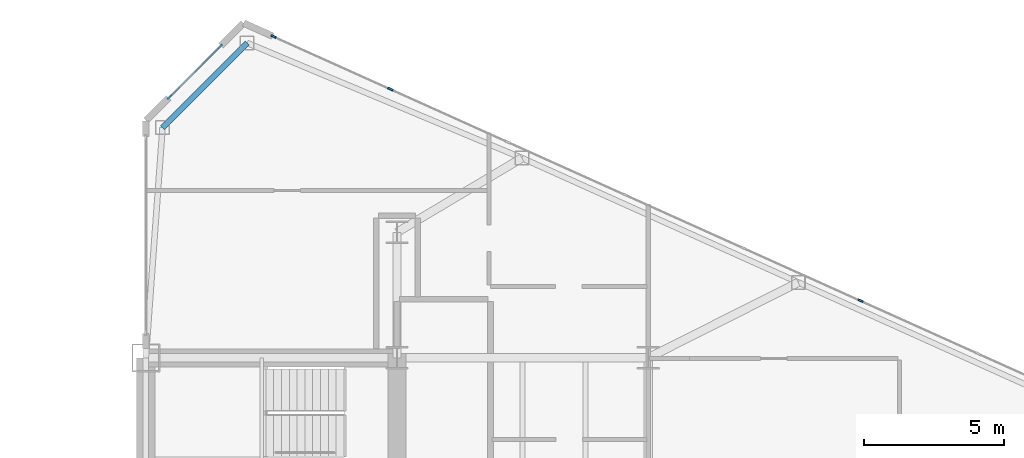
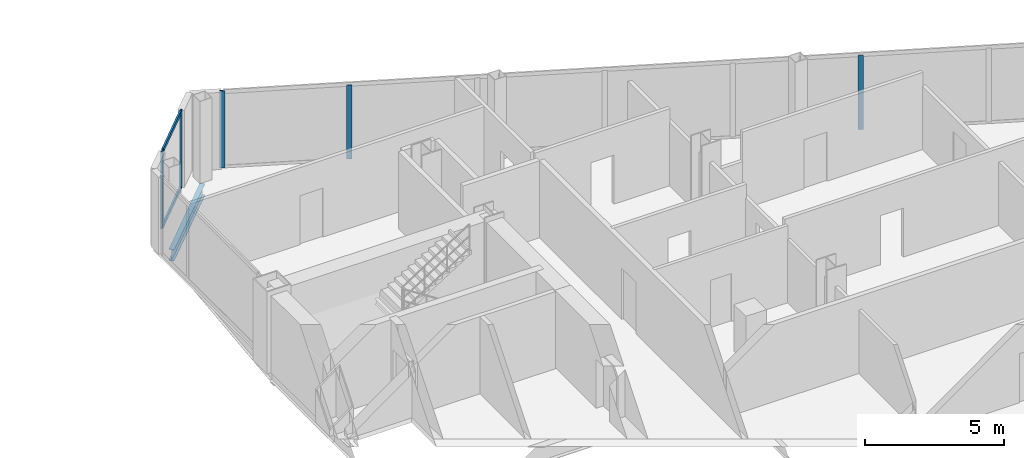
# One storey, part 15 of 27: 7 members, 1 beam, 2 elements without a shape of their own.
"""IFC4 building model written with IfcOpenShell, lengths in metres."""

import ifcopenshell
import ifcopenshell.guid

model = None  # the IFC model being written
_history = None  # IfcOwnerHistory: only IFC2X3 demands one
_inside = {}  # id of a spatial element -> (the spatial element, [elements in it])
_under = {}  # id of a project, library or spatial element -> (it, [spatial elements below it])
_declared = {}  # id of a project -> (the project, [libraries it declares])
_typed = {}  # id of a type object -> (the type object, [elements of that type])
_made_of = {}  # id of a material, layer set ... -> (it, [elements and type objects made of it])


def new_model(schema):
    """Start an empty IFC model of exactly this schema.

    Asked for "IFC4X3", IfcOpenShell would pick the latest addendum, in which some entities
    have other attributes; the version numbers below select the first issue.
    IFC2X3 requires an IfcOwnerHistory on every rooted entity: one is made here for all.
    """
    global model, _history
    if schema == "IFC4X3":
        model = ifcopenshell.file(schema_version=(4, 3, 0, 0))
    else:
        model = ifcopenshell.file(schema=schema)
    _inside.clear()
    _under.clear()
    _declared.clear()
    _typed.clear()
    _made_of.clear()
    _history = None
    if model.schema == "IFC2X3":
        org = make("IfcOrganization", Name="unknown")
        user = make(
            "IfcPersonAndOrganization",
            ThePerson=make("IfcPerson", FamilyName="unknown"),
            TheOrganization=org,
        )
        app = make(
            "IfcApplication",
            ApplicationDeveloper=org,
            Version="unknown",
            ApplicationFullName="unknown",
            ApplicationIdentifier="unknown",
        )
        _history = make(
            "IfcOwnerHistory",
            OwningUser=user,
            OwningApplication=app,
            ChangeAction="ADDED",
            CreationDate=0,
        )
    return model


def make(cls, **values):
    """One entity of the class cls with the attributes given. An attribute that is None is left unset."""
    return model.create_entity(
        cls, **{name: value for name, value in values.items() if value is not None}
    )


def rooted(cls, **values):
    """An entity with a GlobalId (a new one), such as an element, a storey or a relation."""
    return make(cls, GlobalId=ifcopenshell.guid.new(), OwnerHistory=_history, **values)


def si_unit(unit_type, name, prefix=None):
    """IfcSIUnit, for example si_unit("LENGTHUNIT", "METRE", prefix="MILLI")."""
    return make("IfcSIUnit", UnitType=unit_type, Prefix=prefix, Name=name)


def assignment(units):
    """IfcUnitAssignment: the units of a project."""
    return None if units is None else make("IfcUnitAssignment", Units=units)


def point(xyz):
    """IfcCartesianPoint."""
    return None if xyz is None else make("IfcCartesianPoint", Coordinates=xyz)


def direction(xyz):
    """IfcDirection."""
    return None if xyz is None else make("IfcDirection", DirectionRatios=xyz)


def frame(location, z_axis=None, x_axis=None):
    """IfcAxis2Placement3D, a coordinate frame: its origin and axes. An axis left out is left unset."""
    return make(
        "IfcAxis2Placement3D",
        Location=point(location),
        Axis=direction(z_axis),
        RefDirection=direction(x_axis),
    )


def frame_2d(location, x_axis=None):
    """IfcAxis2Placement2D, a coordinate frame in the plane: its origin and x axis."""
    return make(
        "IfcAxis2Placement2D", Location=point(location), RefDirection=direction(x_axis)
    )


def origin():
    """The frame at (0, 0, 0) with its axes left unset."""
    return frame((0.0, 0.0, 0.0))


def origin_2d():
    """The frame at (0, 0) in the plane with its x axis left unset."""
    return frame_2d((0.0, 0.0))


def place(relative_to, where):
    """IfcLocalPlacement: puts the frame where relative to a parent placement (None: the world)."""
    return make(
        "IfcLocalPlacement", PlacementRelTo=relative_to, RelativePlacement=where
    )


def context(
    kind, dimensions, precision=None, world=None, true_north=None, identifier=None
):
    """IfcGeometricRepresentationContext, for example the 3D "Model" context."""
    return make(
        "IfcGeometricRepresentationContext",
        ContextIdentifier=identifier,
        ContextType=kind,
        CoordinateSpaceDimension=dimensions,
        Precision=precision,
        WorldCoordinateSystem=world,
        TrueNorth=true_north,
    )


def subcontext(parent, identifier, kind, view, scale=None):
    """IfcGeometricRepresentationSubContext, for example "Body" below "Model"."""
    return make(
        "IfcGeometricRepresentationSubContext",
        ContextIdentifier=identifier,
        ContextType=kind,
        ParentContext=parent,
        TargetScale=scale,
        TargetView=view,
    )


def project(units=None, contexts=None):
    """IfcProject with its units and contexts."""
    return rooted(
        "IfcProject",
        Name="project",
        RepresentationContexts=contexts,
        UnitsInContext=assignment(units),
    )


def spatial(cls, under=None, at=None, **own):
    """A site, building, storey or space (cls), placed at a placement, below another one or the project."""
    s = rooted(cls, ObjectPlacement=at, **own)
    if under is not None:
        _under.setdefault(under.id(), (under, []))[1].append(s)
    return s


def profile(cls, at=None, kind="AREA", **sizes):
    """A parametric profile (cls). Its sizes go by their IFC names, for example OverallWidth=200.0."""
    return make(cls, ProfileType=kind, Position=at, **sizes)


def rectangle(**sizes):
    """IfcRectangleProfileDef."""
    return profile("IfcRectangleProfileDef", **sizes)


def i_section(**sizes):
    """IfcIShapeProfileDef."""
    return profile("IfcIShapeProfileDef", **sizes)


def extrude(swept, where, along, depth):
    """IfcExtrudedAreaSolid: the profile swept, set in the frame where, extruded along a direction by depth."""
    return make(
        "IfcExtrudedAreaSolid",
        SweptArea=swept,
        Position=where,
        ExtrudedDirection=direction(along),
        Depth=depth,
    )


def shape(context_of_items, identifier, shape_type, items):
    """IfcShapeRepresentation: the items that make up one representation, for example the "Body"."""
    return make(
        "IfcShapeRepresentation",
        ContextOfItems=context_of_items,
        RepresentationIdentifier=identifier,
        RepresentationType=shape_type,
        Items=items,
    )


def source(mapping_origin, context_of_items, identifier, shape_type, items):
    """IfcRepresentationMap: a shape defined once, which mapped items show again and again."""
    return make(
        "IfcRepresentationMap",
        MappingOrigin=mapping_origin,
        MappedRepresentation=shape(context_of_items, identifier, shape_type, items),
    )


def transform(
    local_origin,
    x_axis=None,
    y_axis=None,
    z_axis=None,
    scale=None,
    scale2=None,
    scale3=None,
    uniform=True,
):
    """IfcCartesianTransformationOperator3D, or its non-uniform kind. x_axis, y_axis, z_axis: its Axis1, 2, 3."""
    if uniform:
        return make(
            "IfcCartesianTransformationOperator3D",
            Axis1=direction(x_axis),
            Axis2=direction(y_axis),
            LocalOrigin=point(local_origin),
            Scale=scale,
            Axis3=direction(z_axis),
        )
    return make(
        "IfcCartesianTransformationOperator3DnonUniform",
        Axis1=direction(x_axis),
        Axis2=direction(y_axis),
        LocalOrigin=point(local_origin),
        Scale=scale,
        Axis3=direction(z_axis),
        Scale2=scale2,
        Scale3=scale3,
    )


def mapped(mapping_source, mapping_target):
    """IfcMappedItem: shows the shape of a source again, moved by a transform."""
    return make(
        "IfcMappedItem", MappingSource=mapping_source, MappingTarget=mapping_target
    )


def material(Name=None, Category=None):
    """IfcMaterial."""
    return make("IfcMaterial", Name=Name, Category=Category)


def layer(
    of_material, thickness, ventilated=None, Name=None, Category=None, Priority=None
):
    """IfcMaterialLayer: one layer of a wall or slab, of a material (None: an air gap)."""
    return make(
        "IfcMaterialLayer",
        Material=of_material,
        LayerThickness=thickness,
        IsVentilated=ventilated,
        Name=Name,
        Category=Category,
        Priority=Priority,
    )


def layer_set(layers, Name=None):
    """IfcMaterialLayerSet."""
    return make("IfcMaterialLayerSet", MaterialLayers=layers, LayerSetName=Name)


def material_profile(
    of_material, cross_section, Name=None, Category=None, Priority=None
):
    """IfcMaterialProfile: a cross section and its material."""
    return make(
        "IfcMaterialProfile",
        Name=Name,
        Material=of_material,
        Profile=cross_section,
        Priority=Priority,
        Category=Category,
    )


def profile_set(profiles, Name=None, composite=None):
    """IfcMaterialProfileSet."""
    return make(
        "IfcMaterialProfileSet",
        Name=Name,
        MaterialProfiles=profiles,
        CompositeProfile=composite,
    )


def made_of(thing, what):
    """Note that an element or type object is made of a material, layer set ...; save() writes the relation."""
    if what is not None:
        _made_of.setdefault(what.id(), (what, []))[1].append(thing)
    return thing


def type_object(cls, material=None, **own):
    """A type object (cls), such as IfcWallType, which elements share."""
    return made_of(rooted(cls, **own), material)


def type_shapes(of_type, sources):
    """Give a type object the sources (RepresentationMaps) that its elements show as mapped items."""
    of_type.RepresentationMaps = sources


def element(
    cls,
    number,
    at=None,
    inside=None,
    cuts=None,
    type_object=None,
    material=None,
    context=None,
    identifier="Body",
    shape_type=None,
    held_by="IfcProductDefinitionShape",
    body=None,
    shapes=None,
    **own,
):
    """One element of the class cls, such as IfcWall. Its Tag is "e" and its number.

    at: its placement. inside: the storey or other place that contains it. cuts: it is an
    opening in that element (IfcRelVoidsElement). A single representation is given by context,
    identifier, shape_type and body (its items); several are given by shapes. held_by: the class
    of the entity that holds the representations. save() writes the other relations.
    """
    e = rooted(cls, Tag="e%d" % number, ObjectPlacement=at, **own)
    if body is not None:
        shapes = [shape(context, identifier, shape_type, body)]
    if shapes is not None:
        e.Representation = make(held_by, Representations=shapes)
    if inside is not None:
        _inside.setdefault(inside.id(), (inside, []))[1].append(e)
    if cuts is not None:
        rooted(
            "IfcRelVoidsElement", RelatingBuildingElement=cuts, RelatedOpeningElement=e
        )
    if type_object is not None:
        _typed.setdefault(type_object.id(), (type_object, []))[1].append(e)
    return made_of(e, material)


def aggregate(whole, parts):
    """IfcRelAggregates: a whole, such as a stair, and the parts it consists of."""
    return rooted("IfcRelAggregates", RelatingObject=whole, RelatedObjects=parts)


def save(model, path):
    """Write the relations noted so far, then the file.

    IfcRelAggregates (storeys below a building ...), IfcRelContainedInSpatialStructure (elements
    in a storey), IfcRelDefinesByType, IfcRelAssociatesMaterial and IfcRelDeclares: one each for
    every whole, place, type object, material and project.
    """
    for whole, parts in _under.values():
        aggregate(whole, parts)
    for where, things in _inside.values():
        rooted(
            "IfcRelContainedInSpatialStructure",
            RelatedElements=things,
            RelatingStructure=where,
        )
    for kind, things in _typed.values():
        rooted("IfcRelDefinesByType", RelatedObjects=things, RelatingType=kind)
    for what, things in _made_of.values():
        rooted("IfcRelAssociatesMaterial", RelatedObjects=things, RelatingMaterial=what)
    for by, libraries in _declared.values():
        rooted("IfcRelDeclares", RelatingContext=by, RelatedDefinitions=libraries)
    model.write(path)


model = new_model("IFC4")

# Units and contexts
model_context = context("Model", 3, precision=1e-05, world=origin(), true_north=direction((0.0, 1.0)))
body_context = subcontext(model_context, "Body", "Model", "MODEL_VIEW")
ifc_project = project(units=[si_unit("LENGTHUNIT", "METRE"), si_unit("AREAUNIT", "SQUARE_METRE"), si_unit("VOLUMEUNIT", "CUBIC_METRE"), si_unit("PLANEANGLEUNIT", "RADIAN"), si_unit("MASSUNIT", "GRAM", prefix="KILO")], contexts=[model_context])

# Site, building, storey
site_placement = place(None, origin())
site = spatial("IfcSite", under=ifc_project, at=site_placement, CompositionType="ELEMENT")
building_placement = place(site_placement, origin())
building = spatial("IfcBuilding", under=site, at=building_placement, Name="Seokmaru Belvedere", CompositionType="ELEMENT")
storey_placement = place(building_placement, frame((0.0, 0.0, 106.800048828125)))
storey = spatial("IfcBuildingStorey", under=building, at=storey_placement, Name="L28", CompositionType="ELEMENT", Elevation=106.800048828125)

# Beam
ifc_material_1 = material(Name="Steel SM355 (355 MPa)", Category="steel")
ifc_material_profile_1 = material_profile(ifc_material_1, i_section(OverallWidth=0.199951171875, OverallDepth=0.5, WebThickness=0.010009765625, FlangeThickness=0.01611328125, at=origin_2d()), Name="H-500x200x10x16")
ifc_profile_set_1 = profile_set([ifc_material_profile_1], Name="Steel SM355 (355 MPa)")
beam_type = type_object("IfcBeamType", Name="Perimeter Spandrel Beam H-500", PredefinedType="SPANDREL", material=ifc_profile_set_1)
shared_shape_1 = source(origin(), body_context, "Body", "SweptSolid", [
    extrude(i_section(OverallWidth=0.199951171875, OverallDepth=0.5, WebThickness=0.010009765625, FlangeThickness=0.01611328125, at=origin_2d()), origin(), (0.0, 0.0, 1.0), 4.287109375),
])
type_shapes(beam_type, [shared_shape_1])
beam_placement = place(storey_placement, frame((31.13134765625, 24.782958984375, -0.469970703125), z_axis=(-0.707078306132, -0.707135255094, 0.0), x_axis=(0.707135255094, -0.707078306132, 0.0)))
element("IfcBeam", 1, at=beam_placement, inside=storey, type_object=beam_type, Name="L28 E Shoulder Chamfer Spandrel N", PredefinedType="SPANDREL", context=body_context, shape_type="MappedRepresentation", body=[
    mapped(shared_shape_1, transform((0.0, 0.0, 0.0), scale=1.0)),
])

# Curtain wall, member
ifc_material_2 = material(Name="Bronze Triple Insulating Glass", Category="glass")
ifc_layer = layer(ifc_material_2, 0.195068359375)
ifc_layer_set = layer_set([ifc_layer], Name="Bronze Triple Insulating Glass")
curtain_wall_type = type_object("IfcCurtainWallType", Name="Lower-Mid Tapered Curtain Wall System CW-3", PredefinedType="NOTDEFINED", material=ifc_layer_set)
curtain_wall_1_placement = place(storey_placement, origin())
curtain_wall_1 = element("IfcCurtainWall", 2, at=curtain_wall_1_placement, inside=storey, type_object=curtain_wall_type, Name="L28 Curtain Wall EF3", PredefinedType="NOTDEFINED")
ifc_material_3 = material(Name="Anodised Bronze Aluminium", Category="aluminium")
ifc_material_profile_2 = material_profile(ifc_material_3, rectangle(XDim=0.070068359375, YDim=0.195068359375, at=origin_2d()), Name="CW-M-70x195")
ifc_profile_set_2 = profile_set([ifc_material_profile_2], Name="Anodised Bronze Aluminium")
member_type_1 = type_object("IfcMemberType", Name="Bronze Unitised Mullion 70x195", PredefinedType="MULLION", material=ifc_profile_set_2)
shared_shape_2 = source(origin(), body_context, "Body", "SweptSolid", [
    extrude(rectangle(XDim=0.070068359375, YDim=0.195068359375, at=origin_2d()), origin(), (0.0, 0.0, 1.0), 3.3798828125),
])
member_1_placement = place(storey_placement, frame((32.08056640625, 25.013671875, 0.0), z_axis=(0.0, 0.0, 1.0), x_axis=(-0.41036554765, -0.91192111353, 0.0)))
member_1 = element("IfcMember", 3, at=member_1_placement, type_object=member_type_1, Name="CW:L28:EF3 Mullion 10", PredefinedType="MULLION", context=body_context, shape_type="MappedRepresentation", body=[
    mapped(shared_shape_2, transform((0.0, 0.0, 0.0), scale=1.0)),
])

# Curtain wall, members
curtain_wall_2_placement = place(storey_placement, origin())
curtain_wall_2 = element("IfcCurtainWall", 4, at=curtain_wall_2_placement, inside=storey, type_object=curtain_wall_type, Name="L28 Curtain Wall EF4", PredefinedType="NOTDEFINED")
member_2_placement = place(storey_placement, frame((30.162109375, 24.662109375, 0.0), z_axis=(0.0, 0.0, 1.0), x_axis=(0.707106781187, -0.707106781187, 0.0)))
member_2 = element("IfcMember", 5, at=member_2_placement, type_object=member_type_1, Name="CW:L28:EF4 Mullion 1", PredefinedType="MULLION", context=body_context, shape_type="MappedRepresentation", body=[
    mapped(shared_shape_2, transform((0.0, 0.0, 0.0), scale=1.0)),
])
member_3_placement = place(storey_placement, frame((28.337890625, 22.837890625, 0.0), z_axis=(0.0, 0.0, 1.0), x_axis=(0.707106781187, -0.707106781187, 0.0)))
member_3 = element("IfcMember", 6, at=member_3_placement, type_object=member_type_1, Name="CW:L28:EF4 Mullion 2", PredefinedType="MULLION", context=body_context, shape_type="MappedRepresentation", body=[
    mapped(shared_shape_2, transform((0.0, 0.0, 0.0), scale=1.0)),
])
ifc_material_profile_3 = material_profile(ifc_material_3, rectangle(XDim=0.070068359375, YDim=0.1650390625, at=origin_2d()), Name="CW-T-70x165")
ifc_profile_set_3 = profile_set([ifc_material_profile_3], Name="Anodised Bronze Aluminium")
member_type_2 = type_object("IfcMemberType", Name="Bronze Unitised Transom 70x165", PredefinedType="USERDEFINED", material=ifc_profile_set_3)
shared_shape_3 = source(origin(), body_context, "Body", "SweptSolid", [
    extrude(rectangle(XDim=0.070068359375, YDim=0.1650390625, at=origin_2d()), origin(), (0.0, 0.0, 1.0), 2.509521484375),
])
type_shapes(member_type_2, [shared_shape_3])
member_4_placement = place(storey_placement, frame((30.13720703125, 24.63720703125, 0.034912109375), z_axis=(-0.707106781187, -0.707106781187, 0.0), x_axis=(0.707106781187, -0.707106781187, 0.0)))
member_4 = element("IfcMember", 7, at=member_4_placement, type_object=member_type_2, Name="CW:L28:EF4 Continuous Transom 1", ObjectType="TRANSOM", PredefinedType="USERDEFINED", context=body_context, shape_type="MappedRepresentation", body=[
    mapped(shared_shape_3, transform((0.0, 0.0, 0.0), scale=1.0)),
])
member_5_placement = place(storey_placement, frame((30.13720703125, 24.63720703125, 3.344970703125), z_axis=(-0.707106781187, -0.707106781187, 0.0), x_axis=(0.707106781187, -0.707106781187, 0.0)))
member_5 = element("IfcMember", 8, at=member_5_placement, type_object=member_type_2, Name="CW:L28:EF4 Continuous Transom 2", ObjectType="TRANSOM", PredefinedType="USERDEFINED", context=body_context, shape_type="MappedRepresentation", body=[
    mapped(shared_shape_3, transform((0.0, 0.0, 0.0), scale=1.0)),
])
aggregate(curtain_wall_2, [member_2, member_3, member_4, member_5])

# Member
shared_shape_4 = source(origin(), body_context, "Body", "SweptSolid", [
    extrude(rectangle(XDim=0.070068359375, YDim=0.195068359375, at=origin_2d()), origin(), (0.0, 0.0, 1.0), 3.239990234375),
])
type_shapes(member_type_1, [shared_shape_2, shared_shape_4])
member_6_placement = place(storey_placement, frame((53.105712890625, 15.552490234375, 0.070068359375), z_axis=(0.0, 0.0, 1.0), x_axis=(-0.41036554765, -0.91192111353, 0.0)))
member_6 = element("IfcMember", 9, at=member_6_placement, type_object=member_type_1, Name="CW:L28:EF3 Mullion 5", PredefinedType="MULLION", context=body_context, shape_type="MappedRepresentation", body=[
    mapped(shared_shape_4, transform((0.0, 0.0, 0.0), scale=1.0)),
])

member_7_placement = place(storey_placement, frame((36.260009765625, 23.133056640625, 0.070068359375), z_axis=(0.0, 0.0, 1.0), x_axis=(-0.41036554765, -0.91192111353, 0.0)))
member_7 = element("IfcMember", 10, at=member_7_placement, type_object=member_type_1, Name="CW:L28:EF3 Mullion 9", PredefinedType="MULLION", context=body_context, shape_type="MappedRepresentation", body=[
    mapped(shared_shape_4, transform((0.0, 0.0, 0.0), scale=1.0)),
])

aggregate(curtain_wall_1, [member_6, member_7, member_1])

save(model, "model.ifc")
